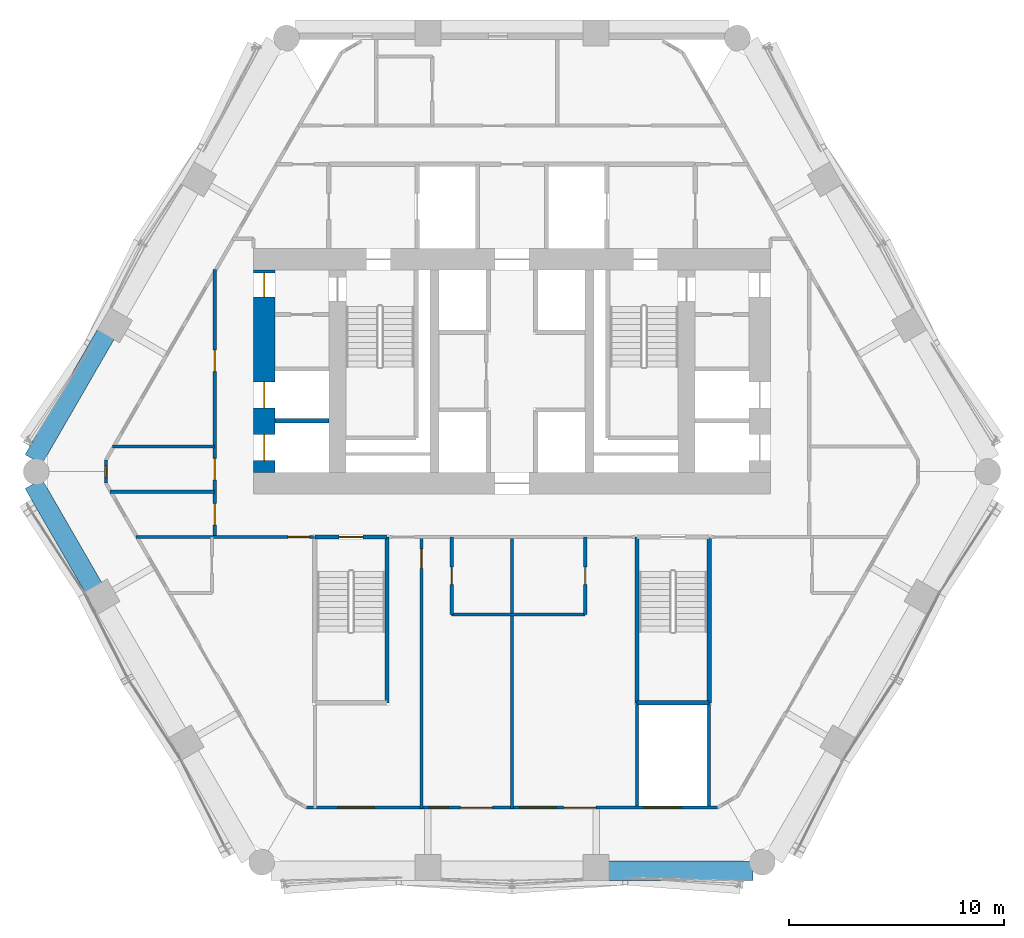
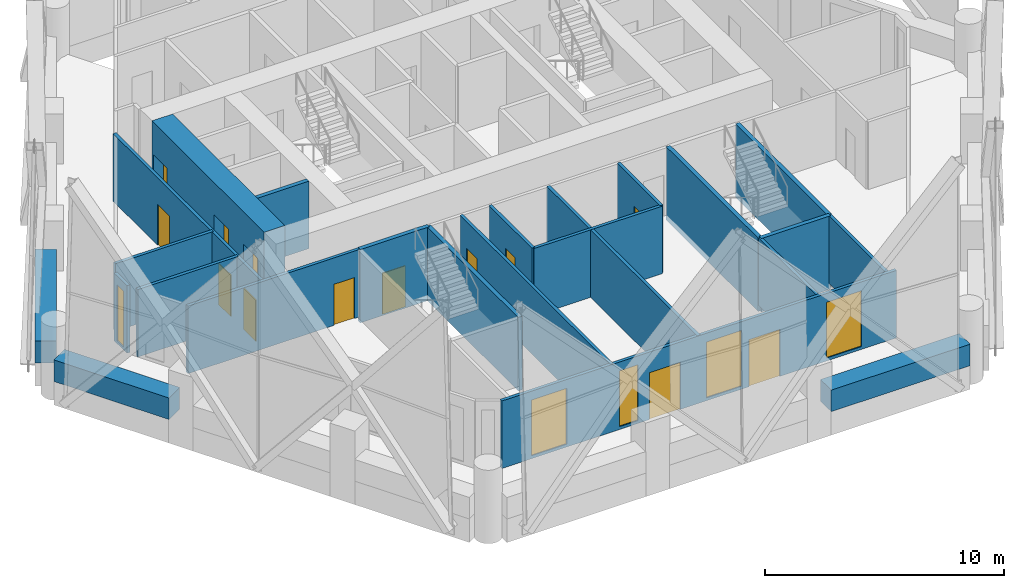
# One storey, part 12 of 21: 23 walls, 13 doors, 5 windows, 18 openings.
"""IFC4 building model written with IfcOpenShell, lengths in metres."""

import ifcopenshell
import ifcopenshell.guid

model = None  # the IFC model being written
_history = None  # IfcOwnerHistory: only IFC2X3 demands one
_inside = {}  # id of a spatial element -> (the spatial element, [elements in it])
_under = {}  # id of a project, library or spatial element -> (it, [spatial elements below it])
_declared = {}  # id of a project -> (the project, [libraries it declares])
_typed = {}  # id of a type object -> (the type object, [elements of that type])
_made_of = {}  # id of a material, layer set ... -> (it, [elements and type objects made of it])


def new_model(schema):
    """Start an empty IFC model of exactly this schema.

    Asked for "IFC4X3", IfcOpenShell would pick the latest addendum, in which some entities
    have other attributes; the version numbers below select the first issue.
    IFC2X3 requires an IfcOwnerHistory on every rooted entity: one is made here for all.
    """
    global model, _history
    if schema == "IFC4X3":
        model = ifcopenshell.file(schema_version=(4, 3, 0, 0))
    else:
        model = ifcopenshell.file(schema=schema)
    _inside.clear()
    _under.clear()
    _declared.clear()
    _typed.clear()
    _made_of.clear()
    _history = None
    if model.schema == "IFC2X3":
        org = make("IfcOrganization", Name="unknown")
        user = make(
            "IfcPersonAndOrganization",
            ThePerson=make("IfcPerson", FamilyName="unknown"),
            TheOrganization=org,
        )
        app = make(
            "IfcApplication",
            ApplicationDeveloper=org,
            Version="unknown",
            ApplicationFullName="unknown",
            ApplicationIdentifier="unknown",
        )
        _history = make(
            "IfcOwnerHistory",
            OwningUser=user,
            OwningApplication=app,
            ChangeAction="ADDED",
            CreationDate=0,
        )
    return model


def make(cls, **values):
    """One entity of the class cls with the attributes given. An attribute that is None is left unset."""
    return model.create_entity(
        cls, **{name: value for name, value in values.items() if value is not None}
    )


def rooted(cls, **values):
    """An entity with a GlobalId (a new one), such as an element, a storey or a relation."""
    return make(cls, GlobalId=ifcopenshell.guid.new(), OwnerHistory=_history, **values)


def si_unit(unit_type, name, prefix=None):
    """IfcSIUnit, for example si_unit("LENGTHUNIT", "METRE", prefix="MILLI")."""
    return make("IfcSIUnit", UnitType=unit_type, Prefix=prefix, Name=name)


def assignment(units):
    """IfcUnitAssignment: the units of a project."""
    return None if units is None else make("IfcUnitAssignment", Units=units)


def point(xyz):
    """IfcCartesianPoint."""
    return None if xyz is None else make("IfcCartesianPoint", Coordinates=xyz)


def direction(xyz):
    """IfcDirection."""
    return None if xyz is None else make("IfcDirection", DirectionRatios=xyz)


def frame(location, z_axis=None, x_axis=None):
    """IfcAxis2Placement3D, a coordinate frame: its origin and axes. An axis left out is left unset."""
    return make(
        "IfcAxis2Placement3D",
        Location=point(location),
        Axis=direction(z_axis),
        RefDirection=direction(x_axis),
    )


def frame_2d(location, x_axis=None):
    """IfcAxis2Placement2D, a coordinate frame in the plane: its origin and x axis."""
    return make(
        "IfcAxis2Placement2D", Location=point(location), RefDirection=direction(x_axis)
    )


def origin():
    """The frame at (0, 0, 0) with its axes left unset."""
    return frame((0.0, 0.0, 0.0))


def place(relative_to, where):
    """IfcLocalPlacement: puts the frame where relative to a parent placement (None: the world)."""
    return make(
        "IfcLocalPlacement", PlacementRelTo=relative_to, RelativePlacement=where
    )


def context(
    kind, dimensions, precision=None, world=None, true_north=None, identifier=None
):
    """IfcGeometricRepresentationContext, for example the 3D "Model" context."""
    return make(
        "IfcGeometricRepresentationContext",
        ContextIdentifier=identifier,
        ContextType=kind,
        CoordinateSpaceDimension=dimensions,
        Precision=precision,
        WorldCoordinateSystem=world,
        TrueNorth=true_north,
    )


def subcontext(parent, identifier, kind, view, scale=None):
    """IfcGeometricRepresentationSubContext, for example "Body" below "Model"."""
    return make(
        "IfcGeometricRepresentationSubContext",
        ContextIdentifier=identifier,
        ContextType=kind,
        ParentContext=parent,
        TargetScale=scale,
        TargetView=view,
    )


def project(units=None, contexts=None):
    """IfcProject with its units and contexts."""
    return rooted(
        "IfcProject",
        Name="project",
        RepresentationContexts=contexts,
        UnitsInContext=assignment(units),
    )


def spatial(cls, under=None, at=None, **own):
    """A site, building, storey or space (cls), placed at a placement, below another one or the project."""
    s = rooted(cls, ObjectPlacement=at, **own)
    if under is not None:
        _under.setdefault(under.id(), (under, []))[1].append(s)
    return s


def profile(cls, at=None, kind="AREA", **sizes):
    """A parametric profile (cls). Its sizes go by their IFC names, for example OverallWidth=200.0."""
    return make(cls, ProfileType=kind, Position=at, **sizes)


def rectangle(**sizes):
    """IfcRectangleProfileDef."""
    return profile("IfcRectangleProfileDef", **sizes)


def extrude(swept, where, along, depth):
    """IfcExtrudedAreaSolid: the profile swept, set in the frame where, extruded along a direction by depth."""
    return make(
        "IfcExtrudedAreaSolid",
        SweptArea=swept,
        Position=where,
        ExtrudedDirection=direction(along),
        Depth=depth,
    )


def shape(context_of_items, identifier, shape_type, items):
    """IfcShapeRepresentation: the items that make up one representation, for example the "Body"."""
    return make(
        "IfcShapeRepresentation",
        ContextOfItems=context_of_items,
        RepresentationIdentifier=identifier,
        RepresentationType=shape_type,
        Items=items,
    )


def material(Name=None, Category=None):
    """IfcMaterial."""
    return make("IfcMaterial", Name=Name, Category=Category)


def layer(
    of_material, thickness, ventilated=None, Name=None, Category=None, Priority=None
):
    """IfcMaterialLayer: one layer of a wall or slab, of a material (None: an air gap)."""
    return make(
        "IfcMaterialLayer",
        Material=of_material,
        LayerThickness=thickness,
        IsVentilated=ventilated,
        Name=Name,
        Category=Category,
        Priority=Priority,
    )


def layer_set(layers, Name=None):
    """IfcMaterialLayerSet."""
    return make("IfcMaterialLayerSet", MaterialLayers=layers, LayerSetName=Name)


def made_of(thing, what):
    """Note that an element or type object is made of a material, layer set ...; save() writes the relation."""
    if what is not None:
        _made_of.setdefault(what.id(), (what, []))[1].append(thing)
    return thing


def type_object(cls, material=None, **own):
    """A type object (cls), such as IfcWallType, which elements share."""
    return made_of(rooted(cls, **own), material)


def element(
    cls,
    number,
    at=None,
    inside=None,
    cuts=None,
    type_object=None,
    material=None,
    context=None,
    identifier="Body",
    shape_type=None,
    held_by="IfcProductDefinitionShape",
    body=None,
    shapes=None,
    **own,
):
    """One element of the class cls, such as IfcWall. Its Tag is "e" and its number.

    at: its placement. inside: the storey or other place that contains it. cuts: it is an
    opening in that element (IfcRelVoidsElement). A single representation is given by context,
    identifier, shape_type and body (its items); several are given by shapes. held_by: the class
    of the entity that holds the representations. save() writes the other relations.
    """
    e = rooted(cls, Tag="e%d" % number, ObjectPlacement=at, **own)
    if body is not None:
        shapes = [shape(context, identifier, shape_type, body)]
    if shapes is not None:
        e.Representation = make(held_by, Representations=shapes)
    if inside is not None:
        _inside.setdefault(inside.id(), (inside, []))[1].append(e)
    if cuts is not None:
        rooted(
            "IfcRelVoidsElement", RelatingBuildingElement=cuts, RelatedOpeningElement=e
        )
    if type_object is not None:
        _typed.setdefault(type_object.id(), (type_object, []))[1].append(e)
    return made_of(e, material)


def fill(opening, filler):
    """IfcRelFillsElement: the door or window that sits in an opening."""
    return rooted(
        "IfcRelFillsElement",
        RelatingOpeningElement=opening,
        RelatedBuildingElement=filler,
    )


def aggregate(whole, parts):
    """IfcRelAggregates: a whole, such as a stair, and the parts it consists of."""
    return rooted("IfcRelAggregates", RelatingObject=whole, RelatedObjects=parts)


def save(model, path):
    """Write the relations noted so far, then the file.

    IfcRelAggregates (storeys below a building ...), IfcRelContainedInSpatialStructure (elements
    in a storey), IfcRelDefinesByType, IfcRelAssociatesMaterial and IfcRelDeclares: one each for
    every whole, place, type object, material and project.
    """
    for whole, parts in _under.values():
        aggregate(whole, parts)
    for where, things in _inside.values():
        rooted(
            "IfcRelContainedInSpatialStructure",
            RelatedElements=things,
            RelatingStructure=where,
        )
    for kind, things in _typed.values():
        rooted("IfcRelDefinesByType", RelatedObjects=things, RelatingType=kind)
    for what, things in _made_of.values():
        rooted("IfcRelAssociatesMaterial", RelatedObjects=things, RelatingMaterial=what)
    for by, libraries in _declared.values():
        rooted("IfcRelDeclares", RelatingContext=by, RelatedDefinitions=libraries)
    model.write(path)


model = new_model("IFC4")

# Units and contexts
model_context = context("Model", 3, precision=1e-05, world=origin(), true_north=direction((0.0, 1.0)))
body_context = subcontext(model_context, "Body", "Model", "MODEL_VIEW")
ifc_project = project(units=[si_unit("LENGTHUNIT", "METRE"), si_unit("AREAUNIT", "SQUARE_METRE"), si_unit("VOLUMEUNIT", "CUBIC_METRE"), si_unit("PLANEANGLEUNIT", "RADIAN"), si_unit("MASSUNIT", "GRAM", prefix="KILO")], contexts=[model_context])

# Site, building, storey
site_placement = place(None, origin())
site = spatial("IfcSite", under=ifc_project, at=site_placement, CompositionType="ELEMENT")
building_placement = place(site_placement, origin())
building = spatial("IfcBuilding", under=site, at=building_placement, Name="Ostrander Bayou Hotel Tower", CompositionType="ELEMENT")
storey_placement = place(building_placement, frame((0.0, 0.0, 116.0)))
storey = spatial("IfcBuildingStorey", under=building, at=storey_placement, Name="L28", CompositionType="ELEMENT", Elevation=116.0)

# Wall, openings, doors
ifc_material_1 = material(Name="Concrete f'c 70 MPa", Category="concrete")
ifc_layer_1 = layer(ifc_material_1, 1.0)
ifc_layer_set_1 = layer_set([ifc_layer_1], Name="CW4 core wall 1000 mm f'c 70 MPa")
wall_type_1 = type_object("IfcWallType", Name="CW4 core wall 1000 mm f'c 70 MPa", PredefinedType="SHEAR", material=ifc_layer_set_1)
wall_1_placement = place(storey_placement, frame((-11.5, -0.699951171875, -0.300048828125), z_axis=(0.0, 0.0, 1.0), x_axis=(0.0, 1.0, 0.0)))
wall_1 = element("IfcWall", 1, at=wall_1_placement, inside=storey, type_object=wall_type_1, Name="CW4 L28 RW", PredefinedType="SHEAR", context=body_context, shape_type="SweptSolid", body=[
    extrude(rectangle(XDim=9.39990234375, YDim=1.0, at=frame_2d((4.699951171875, 0.0))), origin(), (0.0, 0.0, 1.0), 3.75),
])
opening_1_placement = place(wall_1_placement, frame((8.14990234375, 0.0, 0.0)))
opening_1 = element("IfcOpeningElement", 2, at=opening_1_placement, cuts=wall_1, Name="Opening T28-016", PredefinedType="OPENING", context=body_context, shape_type="SweptSolid", body=[
    extrude(rectangle(XDim=1.10009765625, YDim=2.10009765625, at=frame_2d((0.550048828125, 1.050048828125))), frame((0.0, 0.5, 0.0), z_axis=(0.0, -1.0, 0.0), x_axis=(1.0, 0.0, 0.0)), (0.0, 0.0, 1.0), 1.0),
])
opening_2_placement = place(wall_1_placement, frame((0.550048828125, 0.0, 0.0)))
opening_2 = element("IfcOpeningElement", 3, at=opening_2_placement, cuts=wall_1, Name="Opening T28-017", PredefinedType="OPENING", context=body_context, shape_type="SweptSolid", body=[
    extrude(rectangle(XDim=1.199951171875, YDim=2.10009765625, at=frame_2d((0.60009765625, 1.050048828125))), frame((0.0, 0.5, 0.0), z_axis=(0.0, -1.0, 0.0), x_axis=(1.0, 0.0, 0.0)), (0.0, 0.0, 1.0), 1.0),
])
opening_3_placement = place(wall_1_placement, frame((3.0, 0.0, 0.0)))
opening_3 = element("IfcOpeningElement", 4, at=opening_3_placement, cuts=wall_1, Name="Opening T28-018", PredefinedType="OPENING", context=body_context, shape_type="SweptSolid", body=[
    extrude(rectangle(XDim=1.199951171875, YDim=2.10009765625, at=frame_2d((0.60009765625, 1.050048828125))), frame((0.0, 0.5, 0.0), z_axis=(0.0, -1.0, 0.0), x_axis=(1.0, 0.0, 0.0)), (0.0, 0.0, 1.0), 1.0),
])
ifc_material_2 = material(Name="Timber door leaf", Category="wood")
door_type_1 = type_object("IfcDoorType", Name="D5 stair door 1100 x 2100 mm, 90 minute", OperationType="SINGLE_SWING_LEFT", PredefinedType="DOOR", material=ifc_material_2)
door_1_placement = place(opening_1_placement, origin())
door_1 = element("IfcDoor", 5, at=door_1_placement, inside=storey, type_object=door_type_1, Name="dr:L28:016", OperationType="SINGLE_SWING_LEFT", OverallHeight=2.10009765625, OverallWidth=1.10009765625, PredefinedType="DOOR", context=body_context, shape_type="SweptSolid", body=[
    extrude(rectangle(XDim=1.10009765625, YDim=2.10009765625, at=frame_2d((0.550048828125, 1.050048828125))), frame((0.0, 0.02490234375, 0.0), z_axis=(0.0, -1.0, 0.0), x_axis=(1.0, 0.0, 0.0)), (0.0, 0.0, 1.0), 0.050048828125),
])
fill(opening_1, door_1)
ifc_material_3 = material(Name="Stainless steel sliding door", Category="steel")
door_type_2 = type_object("IfcDoorType", Name="LD1 lift landing door 1200 x 2100 mm", OperationType="SINGLE_SWING_LEFT", PredefinedType="DOOR", material=ifc_material_3)
door_2_placement = place(opening_2_placement, origin())
door_2 = element("IfcDoor", 6, at=door_2_placement, inside=storey, type_object=door_type_2, Name="dr:L28:017", OperationType="SLIDING_TO_LEFT", OverallHeight=2.10009765625, OverallWidth=1.199951171875, PredefinedType="DOOR", context=body_context, shape_type="SweptSolid", body=[
    extrude(rectangle(XDim=1.199951171875, YDim=2.10009765625, at=frame_2d((0.60009765625, 1.050048828125))), frame((0.0, 0.02490234375, 0.0), z_axis=(0.0, -1.0, 0.0), x_axis=(1.0, 0.0, 0.0)), (0.0, 0.0, 1.0), 0.050048828125),
])
fill(opening_2, door_2)
door_3_placement = place(opening_3_placement, origin())
door_3 = element("IfcDoor", 7, at=door_3_placement, inside=storey, type_object=door_type_2, Name="dr:L28:018", OperationType="SLIDING_TO_LEFT", OverallHeight=2.10009765625, OverallWidth=1.199951171875, PredefinedType="DOOR", context=body_context, shape_type="SweptSolid", body=[
    extrude(rectangle(XDim=1.199951171875, YDim=2.10009765625, at=frame_2d((0.60009765625, 1.050048828125))), frame((0.0, 0.02490234375, 0.0), z_axis=(0.0, -1.0, 0.0), x_axis=(1.0, 0.0, 0.0)), (0.0, 0.0, 1.0), 0.050048828125),
])
fill(opening_3, door_3)

# Wall, openings, doors, windows
ifc_material_4 = material(Name="Aluminium framed insulated wall", Category="aluminium")
ifc_layer_2 = layer(ifc_material_4, 0.14990234375)
ifc_layer_set_2 = layer_set([ifc_layer_2], Name="GW1 glass-line wall 150 mm")
wall_type_2 = type_object("IfcWallType", Name="GW1 glass-line wall 150 mm", PredefinedType="SOLIDWALL", material=ifc_layer_set_2)
wall_2_placement = place(storey_placement, frame((-9.541015625, -16.259521484375, 0.0), z_axis=(0.0, 0.0, 1.0), x_axis=(1.0, 0.0, 0.0)))
wall_2 = element("IfcWall", 8, at=wall_2_placement, inside=storey, type_object=wall_type_2, Name="GW1 L28 S 1", PredefinedType="SOLIDWALL", context=body_context, shape_type="SweptSolid", body=[
    extrude(rectangle(XDim=19.08203125, YDim=0.14990234375, at=frame_2d((9.541015625, 0.0))), origin(), (0.0, 0.0, 1.0), 3.449951171875),
])
opening_4_placement = place(wall_2_placement, frame((1.44091796875, 0.0, 0.14990234375)))
opening_4 = element("IfcOpeningElement", 9, at=opening_4_placement, cuts=wall_2, Name="Opening W2", PredefinedType="OPENING", context=body_context, shape_type="SweptSolid", body=[
    extrude(rectangle(XDim=1.699951171875, YDim=2.85009765625, at=frame_2d((0.85009765625, 1.425048828125))), frame((0.0, 0.074951171875, 0.0), z_axis=(0.0, -1.0, 0.0), x_axis=(1.0, 0.0, 0.0)), (0.0, 0.0, 1.0), 0.14990234375),
])
opening_5_placement = place(wall_2_placement, frame((5.69091796875, 0.0, 0.14990234375)))
opening_5 = element("IfcOpeningElement", 10, at=opening_5_placement, cuts=wall_2, Name="Opening W16", PredefinedType="OPENING", context=body_context, shape_type="SweptSolid", body=[
    extrude(rectangle(XDim=0.89990234375, YDim=2.85009765625, at=frame_2d((0.449951171875, 1.425048828125))), frame((0.0, 0.074951171875, 0.0), z_axis=(0.0, -1.0, 0.0), x_axis=(1.0, 0.0, 0.0)), (0.0, 0.0, 1.0), 0.14990234375),
])
opening_6_placement = place(wall_2_placement, frame((7.14111328125, 0.0, 0.0)))
opening_6 = element("IfcOpeningElement", 11, at=opening_6_placement, cuts=wall_2, Name="Opening T28-802", PredefinedType="OPENING", context=body_context, shape_type="SweptSolid", body=[
    extrude(rectangle(XDim=1.5, YDim=2.39990234375, at=frame_2d((0.75, 1.199951171875))), frame((0.0, 0.074951171875, 0.0), z_axis=(0.0, -1.0, 0.0), x_axis=(1.0, 0.0, 0.0)), (0.0, 0.0, 1.0), 0.14990234375),
])
opening_7_placement = place(wall_2_placement, frame((9.89111328125, 0.0, 0.14990234375)))
opening_7 = element("IfcOpeningElement", 12, at=opening_7_placement, cuts=wall_2, Name="Opening W2", PredefinedType="OPENING", context=body_context, shape_type="SweptSolid", body=[
    extrude(rectangle(XDim=1.699951171875, YDim=2.85009765625, at=frame_2d((0.85009765625, 1.425048828125))), frame((0.0, 0.074951171875, 0.0), z_axis=(0.0, -1.0, 0.0), x_axis=(1.0, 0.0, 0.0)), (0.0, 0.0, 1.0), 0.14990234375),
])
opening_8_placement = place(wall_2_placement, frame((11.94091796875, 0.0, 0.0)))
opening_8 = element("IfcOpeningElement", 13, at=opening_8_placement, cuts=wall_2, Name="Opening T28-803", PredefinedType="OPENING", context=body_context, shape_type="SweptSolid", body=[
    extrude(rectangle(XDim=1.5, YDim=2.39990234375, at=frame_2d((0.75, 1.199951171875))), frame((0.0, 0.074951171875, 0.0), z_axis=(0.0, -1.0, 0.0), x_axis=(1.0, 0.0, 0.0)), (0.0, 0.0, 1.0), 0.14990234375),
])
opening_9_placement = place(wall_2_placement, frame((15.69091796875, 0.0, 0.14990234375)))
opening_9 = element("IfcOpeningElement", 14, at=opening_9_placement, cuts=wall_2, Name="Opening W2", PredefinedType="OPENING", context=body_context, shape_type="SweptSolid", body=[
    extrude(rectangle(XDim=1.699951171875, YDim=2.85009765625, at=frame_2d((0.85009765625, 1.425048828125))), frame((0.0, 0.074951171875, 0.0), z_axis=(0.0, -1.0, 0.0), x_axis=(1.0, 0.0, 0.0)), (0.0, 0.0, 1.0), 0.14990234375),
])
ifc_material_5 = material(Name="Aluminium and clear glass", Category="aluminium")
door_type_3 = type_object("IfcDoorType", Name="SD2 sliding glass door 1500 mm, zone 2", OperationType="SLIDING_TO_LEFT", PredefinedType="DOOR", material=ifc_material_5)
door_4_placement = place(opening_6_placement, origin())
door_4 = element("IfcDoor", 15, at=door_4_placement, inside=storey, type_object=door_type_3, Name="SD2 L28 S 2", OperationType="SLIDING_TO_RIGHT", OverallHeight=2.39990234375, OverallWidth=1.5, PredefinedType="DOOR", context=body_context, shape_type="SweptSolid", body=[
    extrude(rectangle(XDim=1.5, YDim=2.39990234375, at=frame_2d((0.75, 1.199951171875))), frame((0.0, 0.02490234375, 0.0), z_axis=(0.0, -1.0, 0.0), x_axis=(1.0, 0.0, 0.0)), (0.0, 0.0, 1.0), 0.050048828125),
])
fill(opening_6, door_4)
door_5_placement = place(opening_8_placement, origin())
door_5 = element("IfcDoor", 16, at=door_5_placement, inside=storey, type_object=door_type_3, Name="SD2 L28 S 3", OperationType="SLIDING_TO_LEFT", OverallHeight=2.39990234375, OverallWidth=1.5, PredefinedType="DOOR", context=body_context, shape_type="SweptSolid", body=[
    extrude(rectangle(XDim=1.5, YDim=2.39990234375, at=frame_2d((0.75, 1.199951171875))), frame((0.0, 0.02490234375, 0.0), z_axis=(0.0, -1.0, 0.0), x_axis=(1.0, 0.0, 0.0)), (0.0, 0.0, 1.0), 0.050048828125),
])
fill(opening_8, door_5)
ifc_material_6 = material(Name="Aluminium and clear glass", Category="aluminium")
window_type_1 = type_object("IfcWindowType", Name="W16 window 900 mm, zone 2", PartitioningType="SINGLE_PANEL", PredefinedType="WINDOW", material=ifc_material_6)
window_1_placement = place(opening_5_placement, origin())
window_1 = element("IfcWindow", 17, at=window_1_placement, inside=storey, type_object=window_type_1, Name="W16 L28 S 2", OverallHeight=2.85009765625, OverallWidth=0.89990234375, PartitioningType="SINGLE_PANEL", PredefinedType="WINDOW", context=body_context, shape_type="SweptSolid", body=[
    extrude(rectangle(XDim=0.89990234375, YDim=2.85009765625, at=frame_2d((0.449951171875, 1.425048828125))), frame((0.0, 0.030029296875, 0.0), z_axis=(0.0, -1.0, 0.0), x_axis=(1.0, 0.0, 0.0)), (0.0, 0.0, 1.0), 0.06005859375),
])
fill(opening_5, window_1)
ifc_material_7 = material(Name="Aluminium and clear glass", Category="aluminium")
window_type_2 = type_object("IfcWindowType", Name="W2 fixed window 1700 mm, zone 2", PartitioningType="SINGLE_PANEL", PredefinedType="WINDOW", material=ifc_material_7)
window_2_placement = place(opening_4_placement, origin())
window_2 = element("IfcWindow", 18, at=window_2_placement, inside=storey, type_object=window_type_2, Name="W2 L28 S 1", OverallHeight=2.85009765625, OverallWidth=1.699951171875, PartitioningType="SINGLE_PANEL", PredefinedType="WINDOW", context=body_context, shape_type="SweptSolid", body=[
    extrude(rectangle(XDim=1.699951171875, YDim=2.85009765625, at=frame_2d((0.85009765625, 1.425048828125))), frame((0.0, 0.030029296875, 0.0), z_axis=(0.0, -1.0, 0.0), x_axis=(1.0, 0.0, 0.0)), (0.0, 0.0, 1.0), 0.06005859375),
])
fill(opening_4, window_2)
window_3_placement = place(opening_7_placement, origin())
window_3 = element("IfcWindow", 19, at=window_3_placement, inside=storey, type_object=window_type_2, Name="W2 L28 S 3", OverallHeight=2.85009765625, OverallWidth=1.699951171875, PartitioningType="SINGLE_PANEL", PredefinedType="WINDOW", context=body_context, shape_type="SweptSolid", body=[
    extrude(rectangle(XDim=1.699951171875, YDim=2.85009765625, at=frame_2d((0.85009765625, 1.425048828125))), frame((0.0, 0.030029296875, 0.0), z_axis=(0.0, -1.0, 0.0), x_axis=(1.0, 0.0, 0.0)), (0.0, 0.0, 1.0), 0.06005859375),
])
fill(opening_7, window_3)
window_4_placement = place(opening_9_placement, origin())
window_4 = element("IfcWindow", 20, at=window_4_placement, inside=storey, type_object=window_type_2, Name="W2 L28 S 4", OverallHeight=2.85009765625, OverallWidth=1.699951171875, PartitioningType="SINGLE_PANEL", PredefinedType="WINDOW", context=body_context, shape_type="SweptSolid", body=[
    extrude(rectangle(XDim=1.699951171875, YDim=2.85009765625, at=frame_2d((0.85009765625, 1.425048828125))), frame((0.0, 0.030029296875, 0.0), z_axis=(0.0, -1.0, 0.0), x_axis=(1.0, 0.0, 0.0)), (0.0, 0.0, 1.0), 0.06005859375),
])
fill(opening_9, window_4)

# Wall, opening, window
wall_3_placement = place(storey_placement, frame((-18.8515625, -0.133056640625, 0.0), z_axis=(0.0, 0.0, 1.0), x_axis=(0.0, -1.0, 0.0)))
wall_3 = element("IfcWall", 21, at=wall_3_placement, inside=storey, type_object=wall_type_2, Name="GW1 L28 corner 2", PredefinedType="SOLIDWALL", context=body_context, shape_type="SweptSolid", body=[
    extrude(rectangle(XDim=1.06494140625, YDim=0.14990234375, at=frame_2d((0.532470703125, 0.0))), origin(), (0.0, 0.0, 1.0), 3.449951171875),
])
opening_10_placement = place(wall_3_placement, frame((0.257568359375, 0.0, 0.14990234375)))
opening_10 = element("IfcOpeningElement", 22, at=opening_10_placement, cuts=wall_3, Name="Opening W19", PredefinedType="OPENING", context=body_context, shape_type="SweptSolid", body=[
    extrude(rectangle(XDim=0.550048828125, YDim=2.85009765625, at=frame_2d((0.27490234375, 1.425048828125))), frame((0.0, 0.074951171875, 0.0), z_axis=(0.0, -1.0, 0.0), x_axis=(1.0, 0.0, 0.0)), (0.0, 0.0, 1.0), 0.14990234375),
])
ifc_material_8 = material(Name="Aluminium and clear glass", Category="aluminium")
window_type_3 = type_object("IfcWindowType", Name="W19 corner window 550 mm", PartitioningType="SINGLE_PANEL", PredefinedType="WINDOW", material=ifc_material_8)
window_5_placement = place(opening_10_placement, origin())
window_5 = element("IfcWindow", 23, at=window_5_placement, inside=storey, type_object=window_type_3, Name="W19 L28 corner 2", OverallHeight=2.85009765625, OverallWidth=0.550048828125, PartitioningType="SINGLE_PANEL", PredefinedType="WINDOW", context=body_context, shape_type="SweptSolid", body=[
    extrude(rectangle(XDim=0.550048828125, YDim=2.85009765625, at=frame_2d((0.27490234375, 1.425048828125))), frame((0.0, 0.030029296875, 0.0), z_axis=(0.0, -1.0, 0.0), x_axis=(1.0, 0.0, 0.0)), (0.0, 0.0, 1.0), 0.06005859375),
])
fill(opening_10, window_5)

# Walls
ifc_material_9 = material(Name="Concrete f'c 40 MPa", Category="concrete")
ifc_layer_3 = layer(ifc_material_9, 0.89990234375)
ifc_layer_set_3 = layer_set([ifc_layer_3], Name="PA1 stone-faced parapet 900 mm")
wall_type_3 = type_object("IfcWallType", Name="PA1 stone-faced parapet 900 mm", PredefinedType="PARAPET", material=ifc_layer_set_3)
for number, where, z_axis, x_axis, name in (
    (24, (-18.8525390625, 5.71533203125, 0.0), (0.0, 0.0, 1.0), (-0.500012951941, -0.866017925849, 0.0), "PA1 L28 NW-3"),
    (25, (4.476806640625, -19.1845703125, 0.0), (0.0, 0.0, 1.0), (1.0, 0.0, 0.0), "PA1 L28 S-3"),
):
    element("IfcWall", number, at=place(storey_placement, frame(where, z_axis=z_axis, x_axis=x_axis)), inside=storey, type_object=wall_type_3, Name=name, PredefinedType="PARAPET", context=body_context, shape_type="SweptSolid", body=[
        extrude(rectangle(XDim=6.717041015625, YDim=0.89990234375, at=frame_2d((3.3583984375, 0.0))), origin(), (0.0, 0.0, 1.0), 1.10009765625),
    ])
ifc_material_10 = material(Name="Limestone masonry", Category="masonry")
ifc_layer_4 = layer(ifc_material_10, 0.89990234375)
ifc_layer_set_4 = layer_set([ifc_layer_4], Name="PA2 limestone parapet 900 mm")
wall_type_4 = type_object("IfcWallType", Name="PA2 limestone parapet 900 mm", PredefinedType="PARAPET", material=ifc_layer_set_4)
wall_4_placement = place(storey_placement, frame((-22.211181640625, -1.22900390625, 0.0), z_axis=(0.0, 0.0, 1.0), x_axis=(0.49998957009, -0.866031425412, 0.0)))
element("IfcWall", 26, at=wall_4_placement, inside=storey, type_object=wall_type_4, Name="PA2 L28 SW-1", PredefinedType="PARAPET", context=body_context, shape_type="SweptSolid", body=[
    extrude(rectangle(XDim=5.564453125, YDim=0.89990234375, at=frame_2d((2.7822265625, 0.0))), origin(), (0.0, 0.0, 1.0), 1.10009765625),
])
ifc_material_11 = material(Name="Masonry block", Category="masonry")
ifc_layer_5 = layer(ifc_material_11, 0.199951171875)
ifc_layer_set_5 = layer_set([ifc_layer_5], Name="PT6 lift shaft wall 200 mm masonry, 2 hour")
wall_type_5 = type_object("IfcWallType", Name="PT6 lift shaft wall 200 mm masonry, 2 hour", PredefinedType="PARTITIONING", material=ifc_layer_set_5)
wall_5_placement = place(storey_placement, frame((-11.0, 1.699951171875, 0.0), z_axis=(0.0, 0.0, 1.0), x_axis=(1.0, 0.0, 0.0)))
element("IfcWall", 27, at=wall_5_placement, inside=storey, type_object=wall_type_5, Name="cs:L28:033", PredefinedType="PARTITIONING", context=body_context, shape_type="SweptSolid", body=[
    extrude(rectangle(XDim=2.5, YDim=0.199951171875, at=frame_2d((1.25, 0.0))), origin(), (0.0, 0.0, 1.0), 3.449951171875),
])
ifc_material_12 = material(Name="Gypsum board partition", Category="finish")
ifc_layer_6 = layer(ifc_material_12, 0.14990234375)
ifc_layer_set_6 = layer_set([ifc_layer_6], Name="PT7 riser wall 150 mm, 2 hour")
wall_type_6 = type_object("IfcWallType", Name="PT7 riser wall 150 mm, 2 hour", PredefinedType="PARTITIONING", material=ifc_layer_set_6)
for number, where, z_axis, x_axis, name in (
    (28, (5.800048828125, -11.39990234375, 0.0), (0.0, 0.0, 1.0), (0.0, -1.0, 0.0), "cs:L28:019"),
    (29, (9.14990234375, -11.39990234375, 0.0), (0.0, 0.0, 1.0), (0.0, -1.0, 0.0), "cs:L28:020"),
):
    element("IfcWall", number, at=place(storey_placement, frame(where, z_axis=z_axis, x_axis=x_axis)), inside=storey, type_object=wall_type_6, Name=name, PredefinedType="PARTITIONING", context=body_context, shape_type="SweptSolid", body=[
        extrude(rectangle(XDim=4.78466796875, YDim=0.14990234375, at=frame_2d((2.392333984375, 0.0))), origin(), (0.0, 0.0, 1.0), 3.449951171875),
    ])
ifc_material_13 = material(Name="Gypsum board partition", Category="finish")
ifc_layer_7 = layer(ifc_material_13, 0.14990234375)
ifc_layer_set_7 = layer_set([ifc_layer_7], Name="PT8 service band wall 150 mm, 1 hour")
wall_type_7 = type_object("IfcWallType", Name="PT8 service band wall 150 mm, 1 hour", PredefinedType="PARTITIONING", material=ifc_layer_set_7)
wall_6_placement = place(storey_placement, frame((-2.800048828125, -7.300048828125, 0.0), z_axis=(0.0, 0.0, 1.0), x_axis=(1.0, 0.0, 0.0)))
element("IfcWall", 30, at=wall_6_placement, inside=storey, type_object=wall_type_7, Name="gw:L28:001", PredefinedType="PARTITIONING", context=body_context, shape_type="SweptSolid", body=[
    extrude(rectangle(XDim=6.199951171875, YDim=0.14990234375, at=frame_2d((3.10009765625, 0.0))), origin(), (0.0, 0.0, 1.0), 3.449951171875),
])

# Wall, opening, door
wall_7_placement = place(storey_placement, frame((-17.458984375, -3.699951171875, 0.0), z_axis=(0.0, 0.0, 1.0), x_axis=(1.0, 0.0, 0.0)))
wall_7 = element("IfcWall", 31, at=wall_7_placement, inside=storey, type_object=wall_type_7, Name="gw:L28:004", PredefinedType="PARTITIONING", context=body_context, shape_type="SweptSolid", body=[
    extrude(rectangle(XDim=8.299072265625, YDim=0.14990234375, at=frame_2d((4.1494140625, 0.0))), origin(), (0.0, 0.0, 1.0), 3.449951171875),
])
opening_11_placement = place(wall_7_placement, frame((7.05908203125, 0.0, 0.0)))
opening_11 = element("IfcOpeningElement", 32, at=opening_11_placement, cuts=wall_7, Name="Opening T28-403", PredefinedType="OPENING", context=body_context, shape_type="SweptSolid", body=[
    extrude(rectangle(XDim=1.0, YDim=2.10009765625, at=frame_2d((0.5, 1.050048828125))), frame((0.0, 0.074951171875, 0.0), z_axis=(0.0, -1.0, 0.0), x_axis=(1.0, 0.0, 0.0)), (0.0, 0.0, 1.0), 0.14990234375),
])
ifc_material_14 = material(Name="Timber door leaf", Category="wood")
door_type_4 = type_object("IfcDoorType", Name="D1 guest room door 1000 x 2100 mm, 30 minute", OperationType="SINGLE_SWING_LEFT", PredefinedType="DOOR", material=ifc_material_14)
door_6_placement = place(opening_11_placement, origin())
door_6 = element("IfcDoor", 33, at=door_6_placement, inside=storey, type_object=door_type_4, Name="dr:L28:403", OperationType="SINGLE_SWING_RIGHT", OverallHeight=2.10009765625, OverallWidth=1.0, PredefinedType="DOOR", context=body_context, shape_type="SweptSolid", body=[
    extrude(rectangle(XDim=1.0, YDim=2.10009765625, at=frame_2d((0.5, 1.050048828125))), frame((0.0, 0.02490234375, 0.0), z_axis=(0.0, -1.0, 0.0), x_axis=(1.0, 0.0, 0.0)), (0.0, 0.0, 1.0), 0.050048828125),
])
fill(opening_11, door_6)

# Walls
wall_8_placement = place(storey_placement, frame((-18.672119140625, -1.60009765625, 0.0), z_axis=(0.0, 0.0, 1.0), x_axis=(1.0, 0.0, 0.0)))
element("IfcWall", 34, at=wall_8_placement, inside=storey, type_object=wall_type_7, Name="gw:L28:007", PredefinedType="PARTITIONING", context=body_context, shape_type="SweptSolid", body=[
    extrude(rectangle(XDim=4.8720703125, YDim=0.14990234375, at=frame_2d((2.43603515625, 0.0))), origin(), (0.0, 0.0, 1.0), 3.449951171875),
])
wall_9_placement = place(storey_placement, frame((-18.5380859375, 0.5, 0.0), z_axis=(0.0, 0.0, 1.0), x_axis=(1.0, 0.0, 0.0)))
element("IfcWall", 35, at=wall_9_placement, inside=storey, type_object=wall_type_7, Name="gw:L28:008", PredefinedType="PARTITIONING", context=body_context, shape_type="SweptSolid", body=[
    extrude(rectangle(XDim=4.738037109375, YDim=0.14990234375, at=frame_2d((2.369140625, 0.0))), origin(), (0.0, 0.0, 1.0), 3.449951171875),
])

# Wall, opening, door
wall_10_placement = place(storey_placement, frame((3.39990234375, -7.300048828125, 0.0), z_axis=(0.0, 0.0, 1.0), x_axis=(0.0, 1.0, 0.0)))
wall_10 = element("IfcWall", 36, at=wall_10_placement, inside=storey, type_object=wall_type_7, Name="gw:L28:021", PredefinedType="PARTITIONING", context=body_context, shape_type="SweptSolid", body=[
    extrude(rectangle(XDim=3.60009765625, YDim=0.14990234375, at=frame_2d((1.800048828125, 0.0))), origin(), (0.0, 0.0, 1.0), 3.449951171875),
])
opening_12_placement = place(wall_10_placement, frame((1.39990234375, 0.0, 0.0)))
opening_12 = element("IfcOpeningElement", 37, at=opening_12_placement, cuts=wall_10, Name="Opening T28-406", PredefinedType="OPENING", context=body_context, shape_type="SweptSolid", body=[
    extrude(rectangle(XDim=0.800048828125, YDim=2.10009765625, at=frame_2d((0.39990234375, 1.050048828125))), frame((0.0, 0.074951171875, 0.0), z_axis=(0.0, -1.0, 0.0), x_axis=(1.0, 0.0, 0.0)), (0.0, 0.0, 1.0), 0.14990234375),
])
ifc_material_15 = material(Name="Timber door leaf", Category="wood")
door_type_5 = type_object("IfcDoorType", Name="D2 bathroom door 800 x 2100 mm", OperationType="SINGLE_SWING_LEFT", PredefinedType="DOOR", material=ifc_material_15)
door_7_placement = place(opening_12_placement, origin())
door_7 = element("IfcDoor", 38, at=door_7_placement, inside=storey, type_object=door_type_5, Name="dr:L28:406", OperationType="SINGLE_SWING_RIGHT", OverallHeight=2.10009765625, OverallWidth=0.800048828125, PredefinedType="DOOR", context=body_context, shape_type="SweptSolid", body=[
    extrude(rectangle(XDim=0.800048828125, YDim=2.10009765625, at=frame_2d((0.39990234375, 1.050048828125))), frame((0.0, 0.02490234375, 0.0), z_axis=(0.0, -1.0, 0.0), x_axis=(1.0, 0.0, 0.0)), (0.0, 0.0, 1.0), 0.050048828125),
])
fill(opening_12, door_7)

# Wall
wall_11_placement = place(storey_placement, frame((0.0, -16.303955078125, 0.0), z_axis=(0.0, 0.0, 1.0), x_axis=(0.0, 1.0, 0.0)))
element("IfcWall", 39, at=wall_11_placement, inside=storey, type_object=wall_type_7, Name="gw:L28:023", PredefinedType="PARTITIONING", context=body_context, shape_type="SweptSolid", body=[
    extrude(rectangle(XDim=12.60400390625, YDim=0.14990234375, at=frame_2d((6.302001953125, 0.0))), origin(), (0.0, 0.0, 1.0), 3.449951171875),
])

# Wall, opening, door
wall_12_placement = place(storey_placement, frame((-2.800048828125, -7.300048828125, 0.0), z_axis=(0.0, 0.0, 1.0), x_axis=(0.0, 1.0, 0.0)))
wall_12 = element("IfcWall", 40, at=wall_12_placement, inside=storey, type_object=wall_type_7, Name="gw:L28:024", PredefinedType="PARTITIONING", context=body_context, shape_type="SweptSolid", body=[
    extrude(rectangle(XDim=3.60009765625, YDim=0.14990234375, at=frame_2d((1.800048828125, 0.0))), origin(), (0.0, 0.0, 1.0), 3.449951171875),
])
opening_13_placement = place(wall_12_placement, frame((1.39990234375, 0.0, 0.0)))
opening_13 = element("IfcOpeningElement", 41, at=opening_13_placement, cuts=wall_12, Name="Opening T28-402", PredefinedType="OPENING", context=body_context, shape_type="SweptSolid", body=[
    extrude(rectangle(XDim=0.800048828125, YDim=2.10009765625, at=frame_2d((0.39990234375, 1.050048828125))), frame((0.0, 0.074951171875, 0.0), z_axis=(0.0, -1.0, 0.0), x_axis=(1.0, 0.0, 0.0)), (0.0, 0.0, 1.0), 0.14990234375),
])
door_8_placement = place(opening_13_placement, origin())
door_8 = element("IfcDoor", 42, at=door_8_placement, inside=storey, type_object=door_type_5, Name="dr:L28:402", OperationType="SINGLE_SWING_RIGHT", OverallHeight=2.10009765625, OverallWidth=0.800048828125, PredefinedType="DOOR", context=body_context, shape_type="SweptSolid", body=[
    extrude(rectangle(XDim=0.800048828125, YDim=2.10009765625, at=frame_2d((0.39990234375, 1.050048828125))), frame((0.0, 0.02490234375, 0.0), z_axis=(0.0, -1.0, 0.0), x_axis=(1.0, 0.0, 0.0)), (0.0, 0.0, 1.0), 0.050048828125),
])
fill(opening_13, door_8)

wall_13_placement = place(storey_placement, frame((-4.199951171875, -16.303955078125, 0.0), z_axis=(0.0, 0.0, 1.0), x_axis=(0.0, 1.0, 0.0)))
wall_13 = element("IfcWall", 43, at=wall_13_placement, inside=storey, type_object=wall_type_7, Name="gw:L28:026", PredefinedType="PARTITIONING", context=body_context, shape_type="SweptSolid", body=[
    extrude(rectangle(XDim=12.60400390625, YDim=0.14990234375, at=frame_2d((6.302001953125, 0.0))), origin(), (0.0, 0.0, 1.0), 3.449951171875),
])
opening_14_placement = place(wall_13_placement, frame((11.154052734375, 0.0, 0.0)))
opening_14 = element("IfcOpeningElement", 44, at=opening_14_placement, cuts=wall_13, Name="Opening T28-401", PredefinedType="OPENING", context=body_context, shape_type="SweptSolid", body=[
    extrude(rectangle(XDim=0.89990234375, YDim=2.10009765625, at=frame_2d((0.449951171875, 1.050048828125))), frame((0.0, 0.074951171875, 0.0), z_axis=(0.0, -1.0, 0.0), x_axis=(1.0, 0.0, 0.0)), (0.0, 0.0, 1.0), 0.14990234375),
])
ifc_material_16 = material(Name="Timber door leaf", Category="wood")
door_type_6 = type_object("IfcDoorType", Name="D8 room door 900 x 2100 mm", OperationType="SINGLE_SWING_LEFT", PredefinedType="DOOR", material=ifc_material_16)
door_9_placement = place(opening_14_placement, origin())
door_9 = element("IfcDoor", 45, at=door_9_placement, inside=storey, type_object=door_type_6, Name="dr:L28:401", OperationType="SINGLE_SWING_RIGHT", OverallHeight=2.10009765625, OverallWidth=0.89990234375, PredefinedType="DOOR", context=body_context, shape_type="SweptSolid", body=[
    extrude(rectangle(XDim=0.89990234375, YDim=2.10009765625, at=frame_2d((0.449951171875, 1.050048828125))), frame((0.0, 0.02490234375, 0.0), z_axis=(0.0, -1.0, 0.0), x_axis=(1.0, 0.0, 0.0)), (0.0, 0.0, 1.0), 0.050048828125),
])
fill(opening_14, door_9)

# Wall, openings, doors
wall_14_placement = place(storey_placement, frame((-13.800048828125, -3.699951171875, 0.0), z_axis=(0.0, 0.0, 1.0), x_axis=(0.0, 1.0, 0.0)))
wall_14 = element("IfcWall", 46, at=wall_14_placement, inside=storey, type_object=wall_type_7, Name="gw:L28:030", PredefinedType="PARTITIONING", context=body_context, shape_type="SweptSolid", body=[
    extrude(rectangle(XDim=12.406982421875, YDim=0.14990234375, at=frame_2d((6.20361328125, 0.0))), origin(), (0.0, 0.0, 1.0), 3.449951171875),
])
opening_15_placement = place(wall_14_placement, frame((0.550048828125, 0.0, 0.0)))
opening_15 = element("IfcOpeningElement", 47, at=opening_15_placement, cuts=wall_14, Name="Opening T28-409", PredefinedType="OPENING", context=body_context, shape_type="SweptSolid", body=[
    extrude(rectangle(XDim=1.0, YDim=2.10009765625, at=frame_2d((0.5, 1.050048828125))), frame((0.0, 0.074951171875, 0.0), z_axis=(0.0, -1.0, 0.0), x_axis=(1.0, 0.0, 0.0)), (0.0, 0.0, 1.0), 0.14990234375),
])
opening_16_placement = place(wall_14_placement, frame((2.64990234375, 0.0, 0.0)))
opening_16 = element("IfcOpeningElement", 48, at=opening_16_placement, cuts=wall_14, Name="Opening T28-410", PredefinedType="OPENING", context=body_context, shape_type="SweptSolid", body=[
    extrude(rectangle(XDim=1.0, YDim=2.10009765625, at=frame_2d((0.5, 1.050048828125))), frame((0.0, 0.074951171875, 0.0), z_axis=(0.0, -1.0, 0.0), x_axis=(1.0, 0.0, 0.0)), (0.0, 0.0, 1.0), 0.14990234375),
])
opening_17_placement = place(wall_14_placement, frame((7.68310546875, 0.0, 0.0)))
opening_17 = element("IfcOpeningElement", 49, at=opening_17_placement, cuts=wall_14, Name="Opening T28-411", PredefinedType="OPENING", context=body_context, shape_type="SweptSolid", body=[
    extrude(rectangle(XDim=1.0, YDim=2.10009765625, at=frame_2d((0.5, 1.050048828125))), frame((0.0, 0.074951171875, 0.0), z_axis=(0.0, -1.0, 0.0), x_axis=(1.0, 0.0, 0.0)), (0.0, 0.0, 1.0), 0.14990234375),
])
ifc_material_17 = material(Name="Timber door leaf", Category="wood")
door_type_7 = type_object("IfcDoorType", Name="D9 service door 1000 x 2100 mm, 30 minute", OperationType="SINGLE_SWING_LEFT", PredefinedType="DOOR", material=ifc_material_17)
door_10_placement = place(opening_15_placement, origin())
door_10 = element("IfcDoor", 50, at=door_10_placement, inside=storey, type_object=door_type_7, Name="dr:L28:409", OperationType="SINGLE_SWING_LEFT", OverallHeight=2.10009765625, OverallWidth=1.0, PredefinedType="DOOR", context=body_context, shape_type="SweptSolid", body=[
    extrude(rectangle(XDim=1.0, YDim=2.10009765625, at=frame_2d((0.5, 1.050048828125))), frame((0.0, 0.02490234375, 0.0), z_axis=(0.0, -1.0, 0.0), x_axis=(1.0, 0.0, 0.0)), (0.0, 0.0, 1.0), 0.050048828125),
])
fill(opening_15, door_10)
door_11_placement = place(opening_16_placement, origin())
door_11 = element("IfcDoor", 51, at=door_11_placement, inside=storey, type_object=door_type_7, Name="dr:L28:410", OperationType="SINGLE_SWING_LEFT", OverallHeight=2.10009765625, OverallWidth=1.0, PredefinedType="DOOR", context=body_context, shape_type="SweptSolid", body=[
    extrude(rectangle(XDim=1.0, YDim=2.10009765625, at=frame_2d((0.5, 1.050048828125))), frame((0.0, 0.02490234375, 0.0), z_axis=(0.0, -1.0, 0.0), x_axis=(1.0, 0.0, 0.0)), (0.0, 0.0, 1.0), 0.050048828125),
])
fill(opening_16, door_11)
door_12_placement = place(opening_17_placement, origin())
door_12 = element("IfcDoor", 52, at=door_12_placement, inside=storey, type_object=door_type_7, Name="dr:L28:411", OperationType="SINGLE_SWING_LEFT", OverallHeight=2.10009765625, OverallWidth=1.0, PredefinedType="DOOR", context=body_context, shape_type="SweptSolid", body=[
    extrude(rectangle(XDim=1.0, YDim=2.10009765625, at=frame_2d((0.5, 1.050048828125))), frame((0.0, 0.02490234375, 0.0), z_axis=(0.0, -1.0, 0.0), x_axis=(1.0, 0.0, 0.0)), (0.0, 0.0, 1.0), 0.050048828125),
])
fill(opening_17, door_12)

# Walls
ifc_material_18 = material(Name="Concrete f'c 45 MPa", Category="concrete")
ifc_layer_8 = layer(ifc_material_18, 0.199951171875)
ifc_layer_set_8 = layer_set([ifc_layer_8], Name="SW5 stair enclosure wall 200 mm f'c 45 MPa")
wall_type_8 = type_object("IfcWallType", Name="SW5 stair enclosure wall 200 mm f'c 45 MPa", PredefinedType="SOLIDWALL", material=ifc_layer_set_8)
for number, where, z_axis, x_axis, name in (
    (53, (5.800048828125, -3.699951171875, -0.300048828125), (0.0, 0.0, 1.0), (0.0, -1.0, 0.0), "cs:L28:016"),
    (54, (9.14990234375, -3.699951171875, -0.300048828125), (0.0, 0.0, 1.0), (0.0, -1.0, 0.0), "cs:L28:017"),
):
    element("IfcWall", number, at=place(storey_placement, frame(where, z_axis=z_axis, x_axis=x_axis)), inside=storey, type_object=wall_type_8, Name=name, PredefinedType="SOLIDWALL", context=body_context, shape_type="SweptSolid", body=[
        extrude(rectangle(XDim=7.699951171875, YDim=0.199951171875, at=frame_2d((3.85009765625, 0.0))), origin(), (0.0, 0.0, 1.0), 3.75),
    ])
wall_15_placement = place(storey_placement, frame((5.800048828125, -11.39990234375, -0.300048828125), z_axis=(0.0, 0.0, 1.0), x_axis=(1.0, 0.0, 0.0)))
element("IfcWall", 55, at=wall_15_placement, inside=storey, type_object=wall_type_8, Name="cs:L28:018", PredefinedType="SOLIDWALL", context=body_context, shape_type="SweptSolid", body=[
    extrude(rectangle(XDim=3.349853515625, YDim=0.199951171875, at=frame_2d((1.6748046875, 0.0))), origin(), (0.0, 0.0, 1.0), 3.75),
])

# Wall, opening, door
wall_16_placement = place(storey_placement, frame((-9.14990234375, -3.699951171875, -0.300048828125), z_axis=(0.0, 0.0, 1.0), x_axis=(1.0, 0.0, 0.0)))
wall_16 = element("IfcWall", 56, at=wall_16_placement, inside=storey, type_object=wall_type_8, Name="cs:L28:021", PredefinedType="SOLIDWALL", context=body_context, shape_type="SweptSolid", body=[
    extrude(rectangle(XDim=3.349853515625, YDim=0.199951171875, at=frame_2d((1.6748046875, 0.0))), origin(), (0.0, 0.0, 1.0), 3.75),
])
opening_18_placement = place(wall_16_placement, frame((1.125, 0.0, 0.0)))
opening_18 = element("IfcOpeningElement", 57, at=opening_18_placement, cuts=wall_16, Name="Opening T28-008", PredefinedType="OPENING", context=body_context, shape_type="SweptSolid", body=[
    extrude(rectangle(XDim=1.10009765625, YDim=2.10009765625, at=frame_2d((0.550048828125, 1.050048828125))), frame((0.0, 0.10009765625, 0.0), z_axis=(0.0, -1.0, 0.0), x_axis=(1.0, 0.0, 0.0)), (0.0, 0.0, 1.0), 0.199951171875),
])
door_13_placement = place(opening_18_placement, origin())
door_13 = element("IfcDoor", 58, at=door_13_placement, inside=storey, type_object=door_type_1, Name="dr:L28:008", OperationType="SINGLE_SWING_LEFT", OverallHeight=2.10009765625, OverallWidth=1.10009765625, PredefinedType="DOOR", context=body_context, shape_type="SweptSolid", body=[
    extrude(rectangle(XDim=1.10009765625, YDim=2.10009765625, at=frame_2d((0.550048828125, 1.050048828125))), frame((0.0, 0.02490234375, 0.0), z_axis=(0.0, -1.0, 0.0), x_axis=(1.0, 0.0, 0.0)), (0.0, 0.0, 1.0), 0.050048828125),
])
fill(opening_18, door_13)

# Wall
wall_17_placement = place(storey_placement, frame((-5.800048828125, -3.699951171875, -0.300048828125), z_axis=(0.0, 0.0, 1.0), x_axis=(0.0, -1.0, 0.0)))
element("IfcWall", 59, at=wall_17_placement, inside=storey, type_object=wall_type_8, Name="cs:L28:023", PredefinedType="SOLIDWALL", context=body_context, shape_type="SweptSolid", body=[
    extrude(rectangle(XDim=7.699951171875, YDim=0.199951171875, at=frame_2d((3.85009765625, 0.0))), origin(), (0.0, 0.0, 1.0), 3.75),
])

save(model, "model.ifc")
